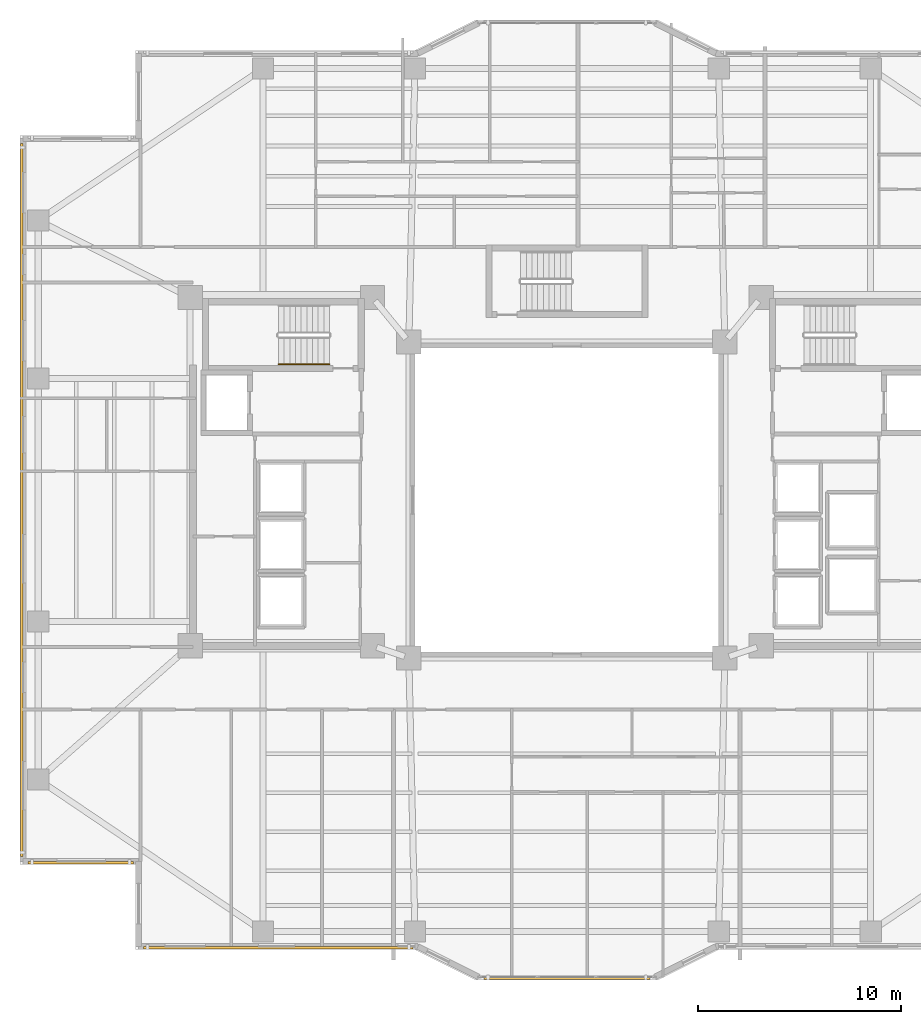
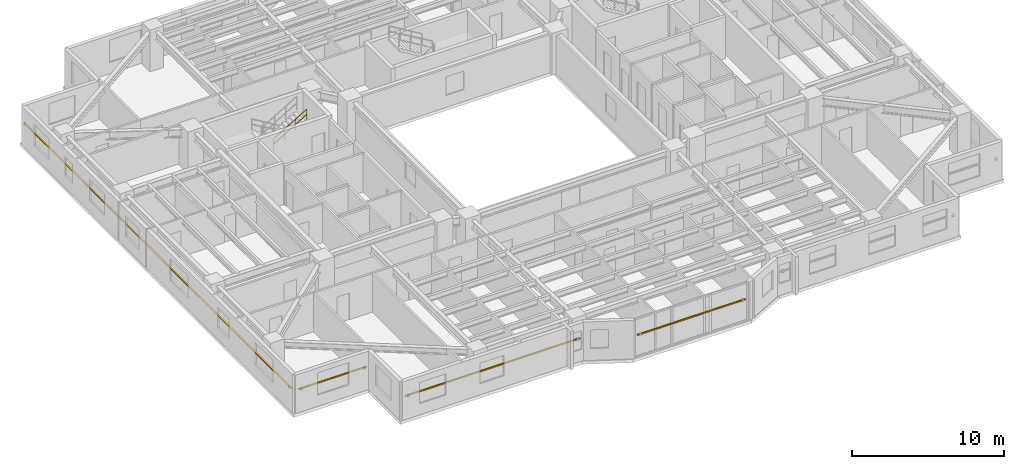
# One storey, part 14 of 18: 4 shading devices, 1 railing.
"""IFC4 building model written with IfcOpenShell, lengths in metres."""

from ifc_helpers import new_model, si_unit, direction, frame, origin, origin_2d, place, context, subcontext, project, spatial, rectangle, circle, extrude, material, material_profile, profile_set, type_object, element, save


model = new_model("IFC4")

# Units and contexts
model_context = context("Model", 3, precision=1e-05, world=origin(), true_north=direction((0.0, 1.0)))
body_context = subcontext(model_context, "Body", "Model", "MODEL_VIEW")
ifc_project = project(units=[si_unit("LENGTHUNIT", "METRE"), si_unit("AREAUNIT", "SQUARE_METRE"), si_unit("VOLUMEUNIT", "CUBIC_METRE"), si_unit("PLANEANGLEUNIT", "RADIAN"), si_unit("MASSUNIT", "GRAM", prefix="KILO")], contexts=[model_context])

# Site, building, storey
site_placement = place(None, origin())
site = spatial("IfcSite", under=ifc_project, at=site_placement, CompositionType="ELEMENT")
building_placement = place(site_placement, origin())
building = spatial("IfcBuilding", under=site, at=building_placement, Name="Tarnavaz Court Tower", CompositionType="ELEMENT")
storey_placement = place(building_placement, frame((0.0, 0.0, 95.050048828125)))
storey = spatial("IfcBuildingStorey", under=building, at=storey_placement, Name="L25", CompositionType="ELEMENT", Elevation=95.050048828125)

# Railing
ifc_material_1 = material(Name="Brushed Stainless Steel", Category="steel")
railing_type = type_object("IfcRailingType", Name="RL-HANDRAIL-900", PredefinedType="HANDRAIL", material=ifc_material_1)
railing_placement = place(storey_placement, frame((-14.239990234375, 6.699951171875, 1.842529296875)))
element("IfcRailing", 1, at=railing_placement, inside=storey, type_object=railing_type, Name="L25 ST-W1 stair handrail 2", PredefinedType="HANDRAIL", context=body_context, shape_type="SweptSolid", body=[
    extrude(circle(Radius=0.02392578125, at=origin_2d()), frame((0.0, 0.0, 0.8759765625), z_axis=(0.858196387827, 0.0, 0.513321497621), x_axis=(0.0, 1.0, 0.0)), (0.0, 0.0, 1.0), 2.9365234375),
    extrude(circle(Radius=0.02392578125, at=origin_2d()), frame((0.0, 0.0, 0.449951171875), z_axis=(0.858196387827, 0.0, 0.513321497621), x_axis=(0.0, 1.0, 0.0)), (0.0, 0.0, 1.0), 2.9365234375),
    extrude(circle(Radius=0.02099609375, at=origin_2d()), origin(), (0.0, 0.0, 1.0), 0.851806640625),
    extrude(circle(Radius=0.02099609375, at=origin_2d()), frame((0.840087890625, 0.0, 0.50244140625)), (0.0, 0.0, 1.0), 0.851806640625),
    extrude(circle(Radius=0.02099609375, at=origin_2d()), frame((1.679931640625, 0.0, 1.0048828125)), (0.0, 0.0, 1.0), 0.851806640625),
    extrude(circle(Radius=0.02099609375, at=origin_2d()), frame((2.52001953125, 0.0, 1.50732421875)), (0.0, 0.0, 1.0), 0.851806640625),
])

# Shading devices
ifc_material_2 = material(Name="Kiln-Fired Khorasan Terracotta Ceramic", Category="masonry")
ifc_material_profile = material_profile(ifc_material_2, rectangle(XDim=0.1201171875, YDim=0.06005859375, at=origin_2d()), Name="TC BAGUETTE 120X60")
ifc_profile_set = profile_set([ifc_material_profile], Name="Kiln-Fired Khorasan Terracotta Ceramic")
shading_device_type = type_object("IfcShadingDeviceType", Name="SD-BAG-120", PredefinedType="USERDEFINED", material=ifc_profile_set)
shading_device_1_placement = place(storey_placement, frame((-21.39990234375, -17.909912109375, 1.849853515625), z_axis=(-1.0, 0.0, 0.0), x_axis=(0.0, -1.0, 0.0)))
element("IfcShadingDevice", 2, at=shading_device_1_placement, inside=storey, type_object=shading_device_type, Name="L25 Terracotta Baguette Screen FBG01", ObjectType="BAGUETTE", PredefinedType="USERDEFINED", context=body_context, shape_type="SweptSolid", body=[
    extrude(rectangle(XDim=0.1201171875, YDim=0.06005859375, at=origin_2d()), origin(), (0.0, 0.0, 1.0), 5.2001953125),
])
shading_device_2_placement = place(storey_placement, frame((-26.909912109375, -17.60009765625, 1.849853515625), z_axis=(0.0, 1.0, 0.0), x_axis=(-1.0, 0.0, 0.0)))
element("IfcShadingDevice", 3, at=shading_device_2_placement, inside=storey, type_object=shading_device_type, Name="L25 Terracotta Baguette Screen FBG02", ObjectType="BAGUETTE", PredefinedType="USERDEFINED", context=body_context, shape_type="SweptSolid", body=[
    extrude(rectangle(XDim=0.1201171875, YDim=0.06005859375, at=origin_2d()), origin(), (0.0, 0.0, 1.0), 35.2001953125),
])
shading_device_3_placement = place(storey_placement, frame((4.10009765625, -23.610107421875, 1.800048828125), z_axis=(-1.0, 0.0, 0.0), x_axis=(0.0, -1.0, 0.0)))
element("IfcShadingDevice", 4, at=shading_device_3_placement, inside=storey, type_object=shading_device_type, Name="L25 Terracotta Baguette Screen PBG17", ObjectType="BAGUETTE", PredefinedType="USERDEFINED", context=body_context, shape_type="SweptSolid", body=[
    extrude(rectangle(XDim=0.1201171875, YDim=0.06005859375, at=origin_2d()), origin(), (0.0, 0.0, 1.0), 8.2001953125),
])
shading_device_4_placement = place(storey_placement, frame((-7.60009765625, -22.110107421875, 1.849853515625), z_axis=(-1.0, 0.0, 0.0), x_axis=(0.0, -1.0, 0.0)))
element("IfcShadingDevice", 5, at=shading_device_4_placement, inside=storey, type_object=shading_device_type, Name="L25 Terracotta Baguette Screen FBG19", ObjectType="BAGUETTE", PredefinedType="USERDEFINED", context=body_context, shape_type="SweptSolid", body=[
    extrude(rectangle(XDim=0.1201171875, YDim=0.06005859375, at=origin_2d()), origin(), (0.0, 0.0, 1.0), 13.2998046875),
])

save(model, "model.ifc")
